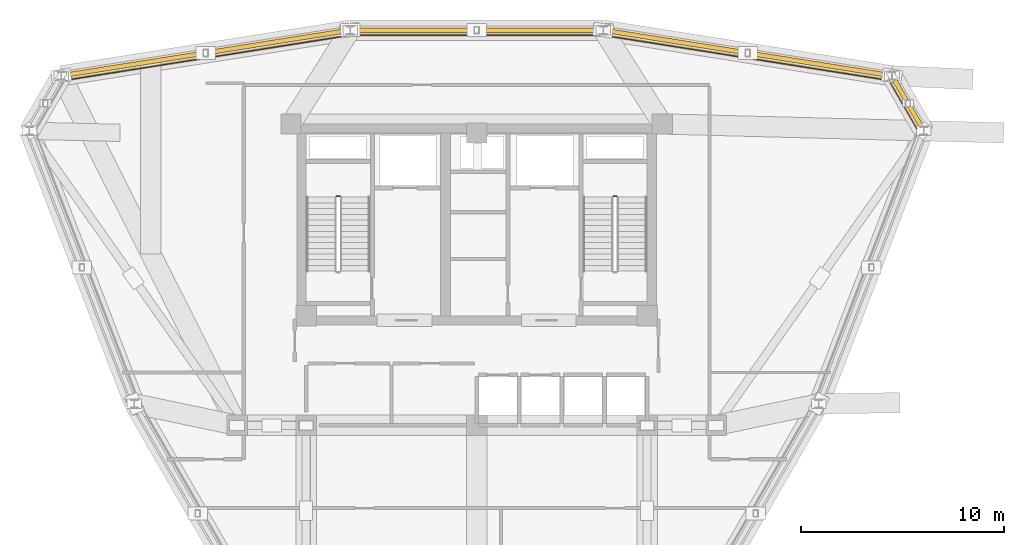
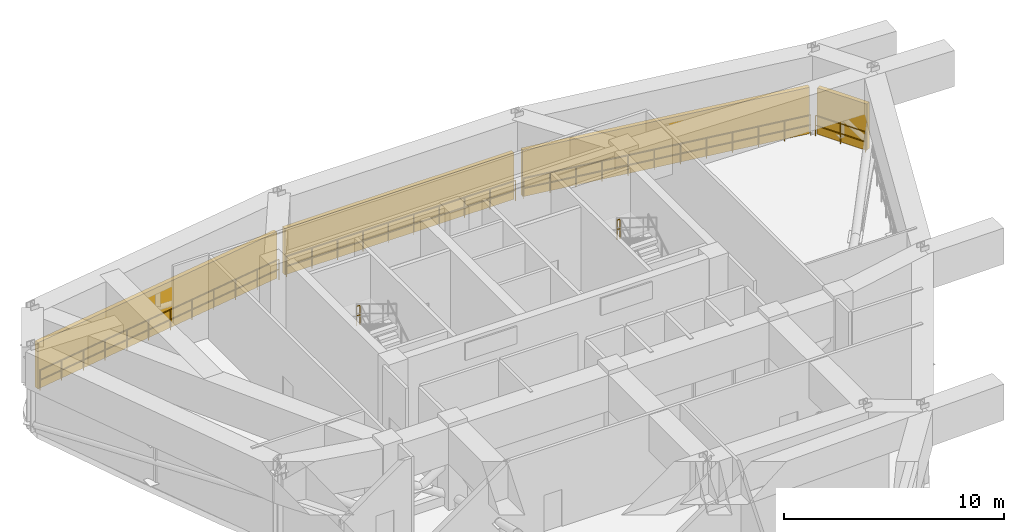
# One storey, part 12 of 12: 6 railings, 4 shading devices.
"""IFC4 building model written with IfcOpenShell, lengths in metres."""

from ifc_helpers import new_model, si_unit, derived_unit, direction, frame, origin, origin_2d, place, context, subcontext, project, spatial, polyline, circle, outline, extrude, material, layer, layer_set, type_object, element, save


model = new_model("IFC4")

# Units and contexts
model_context = context("Model", 3, precision=1e-05, world=origin(), true_north=direction((0.0, 1.0)))
body_context = subcontext(model_context, "Body", "Model", "MODEL_VIEW")
ifc_project = project(units=[si_unit("LENGTHUNIT", "METRE"), si_unit("AREAUNIT", "SQUARE_METRE"), si_unit("VOLUMEUNIT", "CUBIC_METRE"), si_unit("PLANEANGLEUNIT", "RADIAN"), si_unit("MASSUNIT", "GRAM", prefix="KILO"), derived_unit("THERMALTRANSMITTANCEUNIT", [(si_unit("POWERUNIT", "WATT"), 1), (si_unit("LENGTHUNIT", "METRE"), -2), (si_unit("THERMODYNAMICTEMPERATUREUNIT", "KELVIN"), -1)])], contexts=[model_context])

# Site, building, storey
site_placement = place(None, origin())
site = spatial("IfcSite", under=ifc_project, at=site_placement, CompositionType="ELEMENT")
building_placement = place(site_placement, origin())
building = spatial("IfcBuilding", under=site, at=building_placement, Name="Korsvarv Bourse and Concert Hall", CompositionType="ELEMENT")
storey_placement = place(building_placement, frame((0.0, 0.0, 201.0)))
storey = spatial("IfcBuildingStorey", under=building, at=storey_placement, Name="L52", CompositionType="ELEMENT", Elevation=201.0)

# Railings
ifc_material_1 = material(Name="Laminated safety glass and stainless Steel S355 balustrade", Category="steel")
railing_type_1 = type_object("IfcRailingType", Name="RL-BAL-EXT", PredefinedType="BALUSTRADE", material=ifc_material_1)
railing_1_placement = place(storey_placement, frame((57.68212890625, 47.015380859375, 0.0)))
element("IfcRailing", 1, at=railing_1_placement, inside=storey, type_object=railing_type_1, Name="L52 Refuge Band Perimeter Safety Balustrade 1", PredefinedType="BALUSTRADE", context=body_context, shape_type="SweptSolid", body=[
    extrude(circle(Radius=0.02392578125, at=origin_2d()), frame((0.0, 0.0, 1.1259765625), z_axis=(-0.500022859943, 0.866012205188, 0.0), x_axis=(-0.866012205188, -0.500022859943, 0.0)), (0.0, 0.0, 1.0), 2.60302734375),
    extrude(circle(Radius=0.02392578125, at=origin_2d()), frame((0.0, 0.0, 0.574951171875), z_axis=(-0.500022859943, 0.866012205188, 0.0), x_axis=(-0.866012205188, -0.500022859943, 0.0)), (0.0, 0.0, 1.0), 2.60302734375),
    extrude(circle(Radius=0.02099609375, at=origin_2d()), origin(), (0.0, 0.0, 1.0), 1.101806640625),
    extrude(circle(Radius=0.02099609375, at=origin_2d()), frame((-0.65087890625, 1.126953125, 0.0)), (0.0, 0.0, 1.0), 1.101806640625),
    extrude(circle(Radius=0.02099609375, at=origin_2d()), frame((-1.301513671875, 2.254150390625, 0.0)), (0.0, 0.0, 1.0), 1.101806640625),
])
railing_2_placement = place(storey_placement, frame((56.20361328125, 49.410888671875, 0.0)))
element("IfcRailing", 2, at=railing_2_placement, inside=storey, type_object=railing_type_1, Name="L52 Refuge Band Perimeter Safety Balustrade 2", PredefinedType="BALUSTRADE", context=body_context, shape_type="SweptSolid", body=[
    extrude(circle(Radius=0.02392578125, at=origin_2d()), frame((0.0, 0.0, 1.1259765625), z_axis=(-0.987742250528, 0.156093710708, 0.0), x_axis=(-0.156093710708, -0.987742250528, 0.0)), (0.0, 0.0, 1.0), 13.957763671875),
    extrude(circle(Radius=0.02392578125, at=origin_2d()), frame((0.0, 0.0, 0.574951171875), z_axis=(-0.987742250528, 0.156093710708, 0.0), x_axis=(-0.156093710708, -0.987742250528, 0.0)), (0.0, 0.0, 1.0), 13.957763671875),
    extrude(circle(Radius=0.02099609375, at=origin_2d()), origin(), (0.0, 0.0, 1.0), 1.101806640625),
    extrude(circle(Radius=0.02099609375, at=origin_2d()), frame((-1.25341796875, 0.197998046875, 0.0)), (0.0, 0.0, 1.0), 1.101806640625),
    extrude(circle(Radius=0.02099609375, at=origin_2d()), frame((-2.506591796875, 0.396240234375, 0.0)), (0.0, 0.0, 1.0), 1.101806640625),
    extrude(circle(Radius=0.02099609375, at=origin_2d()), frame((-3.760009765625, 0.59423828125, 0.0)), (0.0, 0.0, 1.0), 1.101806640625),
    extrude(circle(Radius=0.02099609375, at=origin_2d()), frame((-5.013427734375, 0.792236328125, 0.0)), (0.0, 0.0, 1.0), 1.101806640625),
    extrude(circle(Radius=0.02099609375, at=origin_2d()), frame((-6.2666015625, 0.990234375, 0.0)), (0.0, 0.0, 1.0), 1.101806640625),
    extrude(circle(Radius=0.02099609375, at=origin_2d()), frame((-7.52001953125, 1.1884765625, 0.0)), (0.0, 0.0, 1.0), 1.101806640625),
    extrude(circle(Radius=0.02099609375, at=origin_2d()), frame((-8.773193359375, 1.386474609375, 0.0)), (0.0, 0.0, 1.0), 1.101806640625),
    extrude(circle(Radius=0.02099609375, at=origin_2d()), frame((-10.026611328125, 1.58447265625, 0.0)), (0.0, 0.0, 1.0), 1.101806640625),
    extrude(circle(Radius=0.02099609375, at=origin_2d()), frame((-11.280029296875, 1.782470703125, 0.0)), (0.0, 0.0, 1.0), 1.101806640625),
    extrude(circle(Radius=0.02099609375, at=origin_2d()), frame((-12.533203125, 1.980712890625, 0.0)), (0.0, 0.0, 1.0), 1.101806640625),
    extrude(circle(Radius=0.02099609375, at=origin_2d()), frame((-13.78662109375, 2.1787109375, 0.0)), (0.0, 0.0, 1.0), 1.101806640625),
])
railing_3_placement = place(storey_placement, frame((42.010009765625, 51.621826171875, 0.0)))
element("IfcRailing", 3, at=railing_3_placement, inside=storey, type_object=railing_type_1, Name="L52 Refuge Band Perimeter Safety Balustrade 3", PredefinedType="BALUSTRADE", context=body_context, shape_type="SweptSolid", body=[
    extrude(circle(Radius=0.02392578125, at=origin_2d()), frame((0.0, 0.0, 1.1259765625), z_axis=(-1.0, 0.0, 0.0), x_axis=(0.0, -1.0, 0.0)), (0.0, 0.0, 1.0), 12.02001953125),
    extrude(circle(Radius=0.02392578125, at=origin_2d()), frame((0.0, 0.0, 0.574951171875), z_axis=(-1.0, 0.0, 0.0), x_axis=(0.0, -1.0, 0.0)), (0.0, 0.0, 1.0), 12.02001953125),
    extrude(circle(Radius=0.02099609375, at=origin_2d()), origin(), (0.0, 0.0, 1.0), 1.101806640625),
    extrude(circle(Radius=0.02099609375, at=origin_2d()), frame((-1.33544921875, 0.0, 0.0)), (0.0, 0.0, 1.0), 1.101806640625),
    extrude(circle(Radius=0.02099609375, at=origin_2d()), frame((-2.671142578125, 0.0, 0.0)), (0.0, 0.0, 1.0), 1.101806640625),
    extrude(circle(Radius=0.02099609375, at=origin_2d()), frame((-4.006591796875, 0.0, 0.0)), (0.0, 0.0, 1.0), 1.101806640625),
    extrude(circle(Radius=0.02099609375, at=origin_2d()), frame((-5.34228515625, 0.0, 0.0)), (0.0, 0.0, 1.0), 1.101806640625),
    extrude(circle(Radius=0.02099609375, at=origin_2d()), frame((-6.677734375, 0.0, 0.0)), (0.0, 0.0, 1.0), 1.101806640625),
    extrude(circle(Radius=0.02099609375, at=origin_2d()), frame((-8.013427734375, 0.0, 0.0)), (0.0, 0.0, 1.0), 1.101806640625),
    extrude(circle(Radius=0.02099609375, at=origin_2d()), frame((-9.348876953125, 0.0, 0.0)), (0.0, 0.0, 1.0), 1.101806640625),
    extrude(circle(Radius=0.02099609375, at=origin_2d()), frame((-10.6845703125, 0.0, 0.0)), (0.0, 0.0, 1.0), 1.101806640625),
    extrude(circle(Radius=0.02099609375, at=origin_2d()), frame((-12.02001953125, 0.0, 0.0)), (0.0, 0.0, 1.0), 1.101806640625),
])
railing_4_placement = place(storey_placement, frame((29.5830078125, 51.589599609375, 0.0)))
element("IfcRailing", 4, at=railing_4_placement, inside=storey, type_object=railing_type_1, Name="L52 Refuge Band Perimeter Safety Balustrade 4", PredefinedType="BALUSTRADE", context=body_context, shape_type="SweptSolid", body=[
    extrude(circle(Radius=0.02392578125, at=origin_2d()), frame((0.0, 0.0, 1.1259765625), z_axis=(-0.987742250528, -0.156093710708, 0.0), x_axis=(0.156093710708, -0.987742250528, 0.0)), (0.0, 0.0, 1.0), 13.957763671875),
    extrude(circle(Radius=0.02392578125, at=origin_2d()), frame((0.0, 0.0, 0.574951171875), z_axis=(-0.987742250528, -0.156093710708, 0.0), x_axis=(0.156093710708, -0.987742250528, 0.0)), (0.0, 0.0, 1.0), 13.957763671875),
    extrude(circle(Radius=0.02099609375, at=origin_2d()), origin(), (0.0, 0.0, 1.0), 1.101806640625),
    extrude(circle(Radius=0.02099609375, at=origin_2d()), frame((-1.25341796875, -0.197998046875, 0.0)), (0.0, 0.0, 1.0), 1.101806640625),
    extrude(circle(Radius=0.02099609375, at=origin_2d()), frame((-2.506591796875, -0.396240234375, 0.0)), (0.0, 0.0, 1.0), 1.101806640625),
    extrude(circle(Radius=0.02099609375, at=origin_2d()), frame((-3.760009765625, -0.59423828125, 0.0)), (0.0, 0.0, 1.0), 1.101806640625),
    extrude(circle(Radius=0.02099609375, at=origin_2d()), frame((-5.013427734375, -0.792236328125, 0.0)), (0.0, 0.0, 1.0), 1.101806640625),
    extrude(circle(Radius=0.02099609375, at=origin_2d()), frame((-6.2666015625, -0.990234375, 0.0)), (0.0, 0.0, 1.0), 1.101806640625),
    extrude(circle(Radius=0.02099609375, at=origin_2d()), frame((-7.52001953125, -1.1884765625, 0.0)), (0.0, 0.0, 1.0), 1.101806640625),
    extrude(circle(Radius=0.02099609375, at=origin_2d()), frame((-8.773193359375, -1.386474609375, 0.0)), (0.0, 0.0, 1.0), 1.101806640625),
    extrude(circle(Radius=0.02099609375, at=origin_2d()), frame((-10.026611328125, -1.58447265625, 0.0)), (0.0, 0.0, 1.0), 1.101806640625),
    extrude(circle(Radius=0.02099609375, at=origin_2d()), frame((-11.280029296875, -1.782470703125, 0.0)), (0.0, 0.0, 1.0), 1.101806640625),
    extrude(circle(Radius=0.02099609375, at=origin_2d()), frame((-12.533203125, -1.980712890625, 0.0)), (0.0, 0.0, 1.0), 1.101806640625),
    extrude(circle(Radius=0.02099609375, at=origin_2d()), frame((-13.78662109375, -2.1787109375, 0.0)), (0.0, 0.0, 1.0), 1.101806640625),
])
ifc_material_2 = material(Name="Painted Steel S355 stair well guardrail", Category="steel")
railing_type_2 = type_object("IfcRailingType", Name="RL-ST-GRD", PredefinedType="GUARDRAIL", material=ifc_material_2)
for number, where, name in (
    (5, (29.260009765625, 43.68994140625, 2.39990234375), "L52 ST-T1 stair guard 2"),
    (6, (42.89990234375, 43.68994140625, 2.39990234375), "L52 ST-T2 stair guard 2"),
):
    element("IfcRailing", number, at=place(storey_placement, frame(where)), inside=storey, type_object=railing_type_2, Name=name, PredefinedType="GUARDRAIL", context=body_context, shape_type="SweptSolid", body=[
        extrude(circle(Radius=0.02392578125, at=origin_2d()), frame((0.0, 0.0, 1.076171875), z_axis=(-1.0, 0.0, 0.0), x_axis=(0.0, -1.0, 0.0)), (0.0, 0.0, 1.0), 0.159912109375),
        extrude(circle(Radius=0.02392578125, at=origin_2d()), frame((0.0, 0.0, 0.550048828125), z_axis=(-1.0, 0.0, 0.0), x_axis=(0.0, -1.0, 0.0)), (0.0, 0.0, 1.0), 0.159912109375),
        extrude(circle(Radius=0.02099609375, at=origin_2d()), origin(), (0.0, 0.0, 1.0), 1.052001953125),
        extrude(circle(Radius=0.02099609375, at=origin_2d()), frame((-0.159912109375, 0.0, 0.0)), (0.0, 0.0, 1.0), 1.052001953125),
    ])

# Shading devices
ifc_material_3 = material(Name="Marine-grade powder-coated aluminium acoustic storm louvre", Category="aluminium")
ifc_layer = layer(ifc_material_3, 0.219970703125)
ifc_layer_set = layer_set([ifc_layer], Name="Marine-grade powder-coated aluminium acoustic storm louvre")
shading_device_type = type_object("IfcShadingDeviceType", Name="SHD-LVR-1", PredefinedType="JALOUSIE", material=ifc_layer_set)
shading_device_1_placement = place(storey_placement, origin())
element("IfcShadingDevice", 7, at=shading_device_1_placement, inside=storey, type_object=shading_device_type, Name="L52 Refuge Acoustic Storm Louvre Bay 1", PredefinedType="JALOUSIE", context=body_context, shape_type="SweptSolid", body=[
    extrude(outline(polyline([(57.80322265625, 47.08544921875), (56.501708984375, 49.339599609375), (56.6923828125, 49.449462890625), (57.993896484375, 47.1953125), (57.80322265625, 47.08544921875)])), origin(), (0.0, 0.0, 1.0), 2.570068359375),
])
shading_device_2_placement = place(storey_placement, origin())
element("IfcShadingDevice", 8, at=shading_device_2_placement, inside=storey, type_object=shading_device_type, Name="L52 Refuge Acoustic Storm Louvre Bay 2", PredefinedType="JALOUSIE", context=body_context, shape_type="SweptSolid", body=[
    extrude(outline(polyline([(56.225341796875, 49.549072265625), (42.43896484375, 51.727783203125), (42.473388671875, 51.9453125), (56.259765625, 49.766357421875), (56.225341796875, 49.549072265625)])), origin(), (0.0, 0.0, 1.0), 2.570068359375),
])
shading_device_3_placement = place(storey_placement, origin())
element("IfcShadingDevice", 9, at=shading_device_3_placement, inside=storey, type_object=shading_device_type, Name="L52 Refuge Acoustic Storm Louvre Bay 3", PredefinedType="JALOUSIE", context=body_context, shape_type="SweptSolid", body=[
    extrude(outline(polyline([(42.010009765625, 51.76171875), (29.989990234375, 51.76171875), (29.989990234375, 51.981689453125), (42.010009765625, 51.981689453125), (42.010009765625, 51.76171875)])), origin(), (0.0, 0.0, 1.0), 2.570068359375),
])
shading_device_4_placement = place(storey_placement, origin())
element("IfcShadingDevice", 10, at=shading_device_4_placement, inside=storey, type_object=shading_device_type, Name="L52 Refuge Acoustic Storm Louvre Bay 4", PredefinedType="JALOUSIE", context=body_context, shape_type="SweptSolid", body=[
    extrude(outline(polyline([(29.56103515625, 51.727783203125), (15.774658203125, 49.549072265625), (15.740234375, 49.766357421875), (29.526611328125, 51.9453125), (29.56103515625, 51.727783203125)])), origin(), (0.0, 0.0, 1.0), 2.570068359375),
])

save(model, "model.ifc")
